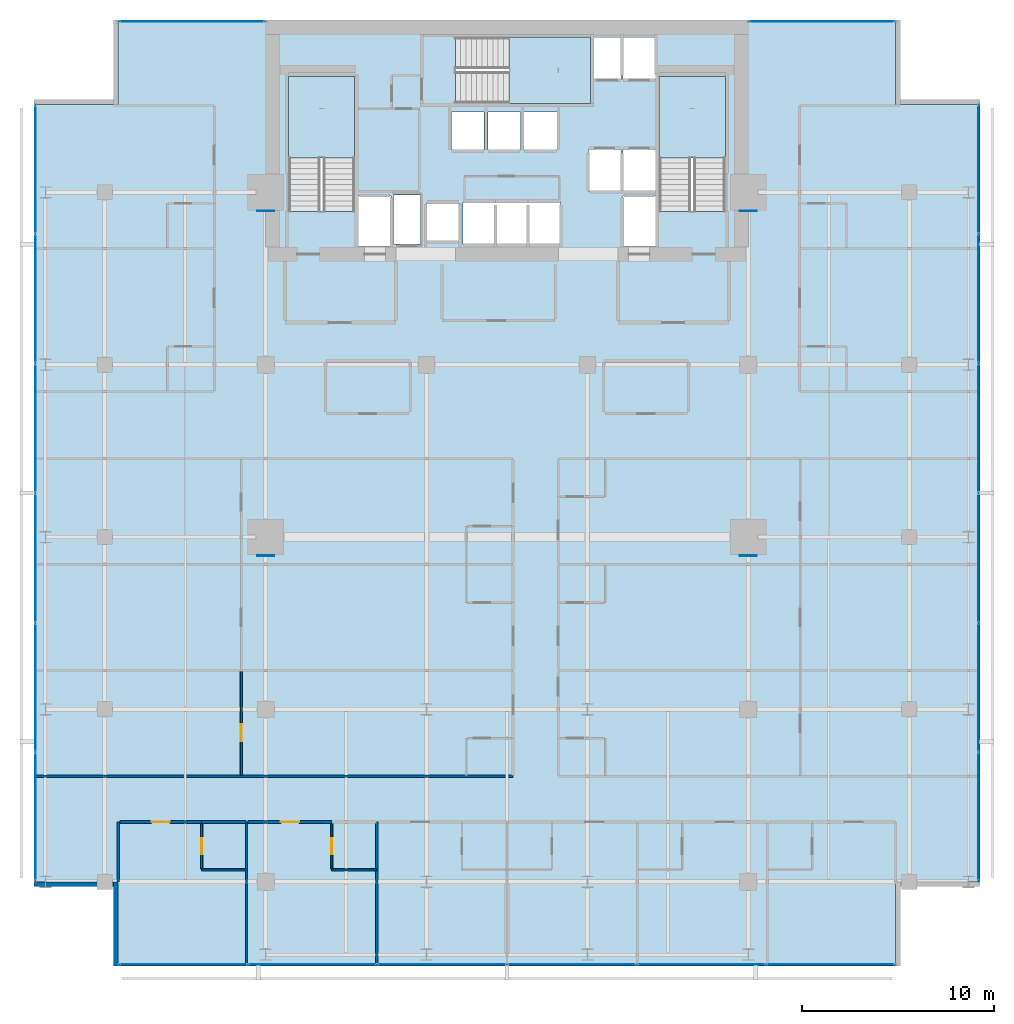
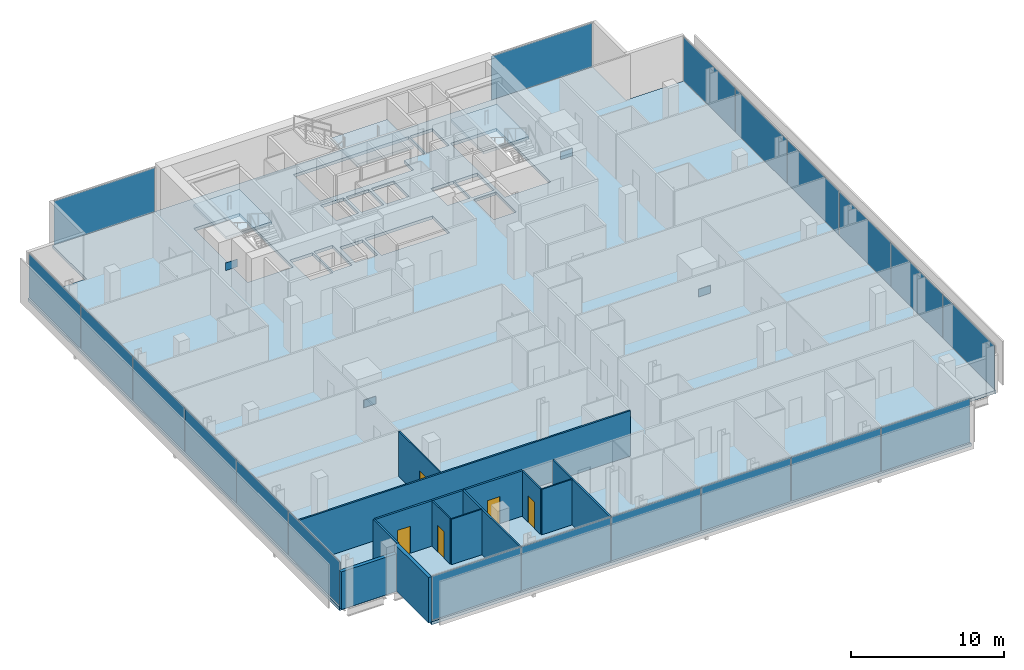
# One storey, part 26 of 33: 24 plates, 14 walls, 5 doors, 4 slabs, 5 openings, 8 elements without a shape of their own.
"""IFC4 building model written with IfcOpenShell, lengths in metres."""

from ifc_helpers import new_model, si_unit, direction, frame, frame_2d, origin, origin_2d, place, context, subcontext, project, spatial, polyline, rectangle, outline, extrude, material, layer, layer_set, type_object, element, fill, aggregate, save


model = new_model("IFC4")

# Units and contexts
model_context = context("Model", 3, precision=1e-05, world=origin(), true_north=direction((0.0, 1.0)))
body_context = subcontext(model_context, "Body", "Model", "MODEL_VIEW")
ifc_project = project(units=[si_unit("LENGTHUNIT", "METRE"), si_unit("AREAUNIT", "SQUARE_METRE"), si_unit("VOLUMEUNIT", "CUBIC_METRE"), si_unit("PLANEANGLEUNIT", "RADIAN"), si_unit("MASSUNIT", "GRAM", prefix="KILO")], contexts=[model_context])

# Site, building, storey
site_placement = place(None, origin())
site = spatial("IfcSite", under=ifc_project, at=site_placement, CompositionType="ELEMENT")
building_placement = place(site_placement, origin())
building = spatial("IfcBuilding", under=site, at=building_placement, Name="Maruvema Waterfront Hotel and Observation Tower", CompositionType="ELEMENT")
storey_placement = place(building_placement, frame((0.0, 0.0, 150.5)))
storey = spatial("IfcBuildingStorey", under=building, at=storey_placement, Name="L36", CompositionType="ELEMENT", Elevation=150.5)

# Slab
ifc_material_1 = material(Name="Concrete C50/60", Category="concrete")
ifc_layer_1 = layer(ifc_material_1, 0.239990234375, Name="Reinforced Concrete Floor Slab 240 mm")
ifc_layer_set_1 = layer_set([ifc_layer_1], Name="Concrete C50/60")
slab_type_1 = type_object("IfcSlabType", Name="Reinforced Concrete Floor Slab 240 mm", PredefinedType="FLOOR", material=ifc_layer_set_1)
slab_1_placement = place(storey_placement, frame((0.0, 0.0, -0.239990234375)))
element("IfcSlab", 1, at=slab_1_placement, inside=storey, type_object=slab_type_1, Name="L36 Structural Floor Slab", PredefinedType="FLOOR", context=body_context, shape_type="SweptSolid", body=[
    extrude(outline(polyline([(17.5, 4.60009765625), (58.10009765625, 4.60009765625), (58.10009765625, 9.0), (62.5, 9.0), (62.5, 49.60009765625), (58.10009765625, 49.60009765625), (58.10009765625, 54.0), (17.5, 54.0), (17.5, 49.60009765625), (13.10009765625, 49.60009765625), (13.10009765625, 9.0), (17.5, 9.0), (17.5, 4.60009765625)]), holes=[polyline([(26.39990234375, 44.00048828125), (26.39990234375, 51.050048828125), (29.85009765625, 51.050048828125), (29.85009765625, 44.00048828125), (26.39990234375, 44.00048828125)]), polyline([(30.050048828125, 44.800048828125), (31.75, 44.800048828125), (31.75, 42.169921875), (30.050048828125, 42.169921875), (30.050048828125, 44.800048828125)]), polyline([(31.8798828125, 44.860107421875), (33.280029296875, 44.860107421875), (33.280029296875, 42.2900390625), (31.8798828125, 42.2900390625), (31.8798828125, 44.860107421875)]), polyline([(33.60009765625, 44.449951171875), (35.300048828125, 44.449951171875), (35.300048828125, 42.449951171875), (33.60009765625, 42.449951171875), (33.60009765625, 44.449951171875)]), polyline([(34.89990234375, 49.199951171875), (36.60009765625, 49.199951171875), (36.60009765625, 47.199951171875), (34.89990234375, 47.199951171875), (34.89990234375, 49.199951171875)]), polyline([(36.800048828125, 49.199951171875), (38.5, 49.199951171875), (38.5, 47.199951171875), (36.800048828125, 47.199951171875), (36.800048828125, 49.199951171875)]), polyline([(35.5, 42.300048828125), (35.5, 44.5), (40.60009765625, 44.5), (40.60009765625, 42.300048828125), (35.5, 42.300048828125)]), polyline([(35.1005859375, 53.10009765625), (43.75, 53.10009765625), (43.75, 50.89990234375), (42.14990234375, 50.89990234375), (42.14990234375, 49.64990234375), (35.1005859375, 49.64990234375), (35.1005859375, 53.10009765625)]), polyline([(38.699951171875, 49.199951171875), (40.39990234375, 49.199951171875), (40.39990234375, 47.199951171875), (38.699951171875, 47.199951171875), (38.699951171875, 49.199951171875)]), polyline([(42.050048828125, 47.25), (43.75, 47.25), (43.75, 45.050048828125), (42.050048828125, 45.050048828125), (42.050048828125, 47.25)]), polyline([(43.85009765625, 44.800048828125), (45.550048828125, 44.800048828125), (45.550048828125, 42.169921875), (43.85009765625, 42.169921875), (43.85009765625, 44.800048828125)]), polyline([(43.85009765625, 47.25), (45.550048828125, 47.25), (45.550048828125, 45.050048828125), (43.85009765625, 45.050048828125), (43.85009765625, 47.25)]), polyline([(45.550048828125, 53.10009765625), (45.550048828125, 50.89990234375), (43.85009765625, 50.89990234375), (43.85009765625, 53.10009765625), (45.550048828125, 53.10009765625)]), polyline([(45.75, 44.00048828125), (45.75, 51.050048828125), (49.199951171875, 51.050048828125), (49.199951171875, 44.00048828125), (45.75, 44.00048828125)])]), origin(), (0.0, 0.0, 1.0), 0.239990234375),
])

# Curtain wall, plates
ifc_material_2 = material(Name="Anodised bronze aluminium and solar-control low-E IGU", Category="aluminium")
ifc_layer_2 = layer(ifc_material_2, 0.159912109375, Name="Zone 2 Amber Inner Thermal Curtain Wall System CW-03")
ifc_layer_set_2 = layer_set([ifc_layer_2], Name="Anodised bronze aluminium and solar-control low-E IGU")
curtain_wall_type = type_object("IfcCurtainWallType", Name="Zone 2 Amber Inner Thermal Curtain Wall System CW-03", PredefinedType="USERDEFINED", material=ifc_layer_set_2)
curtain_wall_1_placement = place(storey_placement, origin())
curtain_wall_1 = element("IfcCurtainWall", 2, at=curtain_wall_1_placement, inside=storey, type_object=curtain_wall_type, Name="L36 Curtain Wall CW-L36-S", ObjectType="UNITISED CURTAIN WALL", PredefinedType="USERDEFINED")
ifc_material_3 = material(Name="Laminated low-E solar-control double glazing", Category="glass")
ifc_layer_3 = layer(ifc_material_3, 0.035888671875, Name="Solar Control Double-Glazed Curtain Panel 36 mm")
ifc_layer_set_3 = layer_set([ifc_layer_3], Name="Laminated low-E solar-control double glazing")
plate_type_1 = type_object("IfcPlateType", Name="Solar Control Double-Glazed Curtain Panel 36 mm", PredefinedType="CURTAIN_PANEL", material=ifc_layer_set_3)
plate_1_placement = place(storey_placement, frame((20.8984375, 4.679931640625, 0.06005859375), z_axis=(0.0, 0.0, 1.0), x_axis=(1.0, 0.0, 0.0)))
plate_1 = element("IfcPlate", 3, at=plate_1_placement, type_object=plate_type_1, Name="CW-03 panel 1.1", PredefinedType="CURTAIN_PANEL", context=body_context, shape_type="SweptSolid", body=[
    extrude(rectangle(XDim=6.6767578125, YDim=0.028076171875, at=origin_2d()), origin(), (0.0, 0.0, 1.0), 3.489990234375),
])
plate_2_placement = place(storey_placement, frame((27.64990234375, 4.679931640625, 0.06005859375), z_axis=(0.0, 0.0, 1.0), x_axis=(1.0, 0.0, 0.0)))
plate_2 = element("IfcPlate", 4, at=plate_2_placement, type_object=plate_type_1, Name="CW-03 panel 2.1", PredefinedType="CURTAIN_PANEL", context=body_context, shape_type="SweptSolid", body=[
    extrude(rectangle(XDim=6.706787109375, YDim=0.028076171875, at=origin_2d()), origin(), (0.0, 0.0, 1.0), 3.489990234375),
])
plate_3_placement = place(storey_placement, frame((34.416748046875, 4.679931640625, 0.06005859375), z_axis=(0.0, 0.0, 1.0), x_axis=(1.0, 0.0, 0.0)))
plate_3 = element("IfcPlate", 5, at=plate_3_placement, type_object=plate_type_1, Name="CW-03 panel 3.1", PredefinedType="CURTAIN_PANEL", context=body_context, shape_type="SweptSolid", body=[
    extrude(rectangle(XDim=6.706787109375, YDim=0.028076171875, at=origin_2d()), origin(), (0.0, 0.0, 1.0), 3.489990234375),
])
plate_4_placement = place(storey_placement, frame((41.183349609375, 4.679931640625, 0.06005859375), z_axis=(0.0, 0.0, 1.0), x_axis=(1.0, 0.0, 0.0)))
plate_4 = element("IfcPlate", 6, at=plate_4_placement, type_object=plate_type_1, Name="CW-03 panel 4.1", PredefinedType="CURTAIN_PANEL", context=body_context, shape_type="SweptSolid", body=[
    extrude(rectangle(XDim=6.706787109375, YDim=0.028076171875, at=origin_2d()), origin(), (0.0, 0.0, 1.0), 3.489990234375),
])
plate_5_placement = place(storey_placement, frame((47.949951171875, 4.679931640625, 0.06005859375), z_axis=(0.0, 0.0, 1.0), x_axis=(1.0, 0.0, 0.0)))
plate_5 = element("IfcPlate", 7, at=plate_5_placement, type_object=plate_type_1, Name="CW-03 panel 5.1", PredefinedType="CURTAIN_PANEL", context=body_context, shape_type="SweptSolid", body=[
    extrude(rectangle(XDim=6.706787109375, YDim=0.028076171875, at=origin_2d()), origin(), (0.0, 0.0, 1.0), 3.489990234375),
])
plate_6_placement = place(storey_placement, frame((54.70166015625, 4.679931640625, 0.06005859375), z_axis=(0.0, 0.0, 1.0), x_axis=(1.0, 0.0, 0.0)))
plate_6 = element("IfcPlate", 8, at=plate_6_placement, type_object=plate_type_1, Name="CW-03 panel 6.1", PredefinedType="CURTAIN_PANEL", context=body_context, shape_type="SweptSolid", body=[
    extrude(rectangle(XDim=6.6767578125, YDim=0.028076171875, at=origin_2d()), origin(), (0.0, 0.0, 1.0), 3.489990234375),
])
aggregate(curtain_wall_1, [plate_1, plate_2, plate_3, plate_4, plate_5, plate_6])

curtain_wall_2_placement = place(storey_placement, origin())
curtain_wall_2 = element("IfcCurtainWall", 9, at=curtain_wall_2_placement, inside=storey, type_object=curtain_wall_type, Name="L36 Curtain Wall CW-L36-E", ObjectType="UNITISED CURTAIN WALL", PredefinedType="USERDEFINED")
plate_7_placement = place(storey_placement, frame((62.419921875, 12.3984375, 0.06005859375), z_axis=(0.0, 0.0, 1.0), x_axis=(0.0, 1.0, 0.0)))
plate_7 = element("IfcPlate", 10, at=plate_7_placement, type_object=plate_type_1, Name="CW-03 panel 1.1", PredefinedType="CURTAIN_PANEL", context=body_context, shape_type="SweptSolid", body=[
    extrude(rectangle(XDim=6.6767578125, YDim=0.028076171875, at=origin_2d()), origin(), (0.0, 0.0, 1.0), 3.489990234375),
])
plate_8_placement = place(storey_placement, frame((62.419921875, 19.14990234375, 0.06005859375), z_axis=(0.0, 0.0, 1.0), x_axis=(0.0, 1.0, 0.0)))
plate_8 = element("IfcPlate", 11, at=plate_8_placement, type_object=plate_type_1, Name="CW-03 panel 2.1", PredefinedType="CURTAIN_PANEL", context=body_context, shape_type="SweptSolid", body=[
    extrude(rectangle(XDim=6.706787109375, YDim=0.028076171875, at=origin_2d()), origin(), (0.0, 0.0, 1.0), 3.489990234375),
])
plate_9_placement = place(storey_placement, frame((62.419921875, 25.916748046875, 0.06005859375), z_axis=(0.0, 0.0, 1.0), x_axis=(0.0, 1.0, 0.0)))
plate_9 = element("IfcPlate", 12, at=plate_9_placement, type_object=plate_type_1, Name="CW-03 panel 3.1", PredefinedType="CURTAIN_PANEL", context=body_context, shape_type="SweptSolid", body=[
    extrude(rectangle(XDim=6.706787109375, YDim=0.028076171875, at=origin_2d()), origin(), (0.0, 0.0, 1.0), 3.489990234375),
])
plate_10_placement = place(storey_placement, frame((62.419921875, 32.683349609375, 0.06005859375), z_axis=(0.0, 0.0, 1.0), x_axis=(0.0, 1.0, 0.0)))
plate_10 = element("IfcPlate", 13, at=plate_10_placement, type_object=plate_type_1, Name="CW-03 panel 4.1", PredefinedType="CURTAIN_PANEL", context=body_context, shape_type="SweptSolid", body=[
    extrude(rectangle(XDim=6.706787109375, YDim=0.028076171875, at=origin_2d()), origin(), (0.0, 0.0, 1.0), 3.489990234375),
])
plate_11_placement = place(storey_placement, frame((62.419921875, 39.449951171875, 0.06005859375), z_axis=(0.0, 0.0, 1.0), x_axis=(0.0, 1.0, 0.0)))
plate_11 = element("IfcPlate", 14, at=plate_11_placement, type_object=plate_type_1, Name="CW-03 panel 5.1", PredefinedType="CURTAIN_PANEL", context=body_context, shape_type="SweptSolid", body=[
    extrude(rectangle(XDim=6.706787109375, YDim=0.028076171875, at=origin_2d()), origin(), (0.0, 0.0, 1.0), 3.489990234375),
])
plate_12_placement = place(storey_placement, frame((62.419921875, 46.20166015625, 0.06005859375), z_axis=(0.0, 0.0, 1.0), x_axis=(0.0, 1.0, 0.0)))
plate_12 = element("IfcPlate", 15, at=plate_12_placement, type_object=plate_type_1, Name="CW-03 panel 6.1", PredefinedType="CURTAIN_PANEL", context=body_context, shape_type="SweptSolid", body=[
    extrude(rectangle(XDim=6.6767578125, YDim=0.028076171875, at=origin_2d()), origin(), (0.0, 0.0, 1.0), 3.489990234375),
])
aggregate(curtain_wall_2, [plate_7, plate_8, plate_9, plate_10, plate_11, plate_12])

curtain_wall_3_placement = place(storey_placement, origin())
curtain_wall_3 = element("IfcCurtainWall", 16, at=curtain_wall_3_placement, inside=storey, type_object=curtain_wall_type, Name="L36 Curtain Wall CW-L36-W", ObjectType="UNITISED CURTAIN WALL", PredefinedType="USERDEFINED")
plate_13_placement = place(storey_placement, frame((13.179931640625, 46.20166015625, 0.06005859375), z_axis=(0.0, 0.0, 1.0), x_axis=(0.0, -1.0, 0.0)))
plate_13 = element("IfcPlate", 17, at=plate_13_placement, type_object=plate_type_1, Name="CW-03 panel 1.1", PredefinedType="CURTAIN_PANEL", context=body_context, shape_type="SweptSolid", body=[
    extrude(rectangle(XDim=6.6767578125, YDim=0.028076171875, at=origin_2d()), origin(), (0.0, 0.0, 1.0), 3.489990234375),
])
plate_14_placement = place(storey_placement, frame((13.179931640625, 39.449951171875, 0.06005859375), z_axis=(0.0, 0.0, 1.0), x_axis=(0.0, -1.0, 0.0)))
plate_14 = element("IfcPlate", 18, at=plate_14_placement, type_object=plate_type_1, Name="CW-03 panel 2.1", PredefinedType="CURTAIN_PANEL", context=body_context, shape_type="SweptSolid", body=[
    extrude(rectangle(XDim=6.706787109375, YDim=0.028076171875, at=origin_2d()), origin(), (0.0, 0.0, 1.0), 3.489990234375),
])
plate_15_placement = place(storey_placement, frame((13.179931640625, 32.683349609375, 0.06005859375), z_axis=(0.0, 0.0, 1.0), x_axis=(0.0, -1.0, 0.0)))
plate_15 = element("IfcPlate", 19, at=plate_15_placement, type_object=plate_type_1, Name="CW-03 panel 3.1", PredefinedType="CURTAIN_PANEL", context=body_context, shape_type="SweptSolid", body=[
    extrude(rectangle(XDim=6.706787109375, YDim=0.028076171875, at=origin_2d()), origin(), (0.0, 0.0, 1.0), 3.489990234375),
])
plate_16_placement = place(storey_placement, frame((13.179931640625, 25.916748046875, 0.06005859375), z_axis=(0.0, 0.0, 1.0), x_axis=(0.0, -1.0, 0.0)))
plate_16 = element("IfcPlate", 20, at=plate_16_placement, type_object=plate_type_1, Name="CW-03 panel 4.1", PredefinedType="CURTAIN_PANEL", context=body_context, shape_type="SweptSolid", body=[
    extrude(rectangle(XDim=6.706787109375, YDim=0.028076171875, at=origin_2d()), origin(), (0.0, 0.0, 1.0), 3.489990234375),
])
plate_17_placement = place(storey_placement, frame((13.179931640625, 19.14990234375, 0.06005859375), z_axis=(0.0, 0.0, 1.0), x_axis=(0.0, -1.0, 0.0)))
plate_17 = element("IfcPlate", 21, at=plate_17_placement, type_object=plate_type_1, Name="CW-03 panel 5.1", PredefinedType="CURTAIN_PANEL", context=body_context, shape_type="SweptSolid", body=[
    extrude(rectangle(XDim=6.706787109375, YDim=0.028076171875, at=origin_2d()), origin(), (0.0, 0.0, 1.0), 3.489990234375),
])
plate_18_placement = place(storey_placement, frame((13.179931640625, 12.3984375, 0.06005859375), z_axis=(0.0, 0.0, 1.0), x_axis=(0.0, -1.0, 0.0)))
plate_18 = element("IfcPlate", 22, at=plate_18_placement, type_object=plate_type_1, Name="CW-03 panel 6.1", PredefinedType="CURTAIN_PANEL", context=body_context, shape_type="SweptSolid", body=[
    extrude(rectangle(XDim=6.6767578125, YDim=0.028076171875, at=origin_2d()), origin(), (0.0, 0.0, 1.0), 3.489990234375),
])
aggregate(curtain_wall_3, [plate_13, plate_14, plate_15, plate_16, plate_17, plate_18])

# Curtain wall, plate
curtain_wall_4_placement = place(storey_placement, origin())
curtain_wall_4 = element("IfcCurtainWall", 23, at=curtain_wall_4_placement, inside=storey, type_object=curtain_wall_type, Name="L36 Curtain Wall CW-L36-NW", ObjectType="UNITISED CURTAIN WALL", PredefinedType="USERDEFINED")
plate_19_placement = place(storey_placement, frame((21.35009765625, 53.919921875, 0.06005859375), z_axis=(0.0, 0.0, 1.0), x_axis=(-1.0, 0.0, 0.0)))
plate_19 = element("IfcPlate", 24, at=plate_19_placement, type_object=plate_type_1, Name="CW-03 panel 1.1", PredefinedType="CURTAIN_PANEL", context=body_context, shape_type="SweptSolid", body=[
    extrude(rectangle(XDim=7.580078125, YDim=0.028076171875, at=origin_2d()), origin(), (0.0, 0.0, 1.0), 3.489990234375),
])
aggregate(curtain_wall_4, [plate_19])

curtain_wall_5_placement = place(storey_placement, origin())
curtain_wall_5 = element("IfcCurtainWall", 25, at=curtain_wall_5_placement, inside=storey, type_object=curtain_wall_type, Name="L36 Curtain Wall CW-L36-NE", ObjectType="UNITISED CURTAIN WALL", PredefinedType="USERDEFINED")
plate_20_placement = place(storey_placement, frame((54.25, 53.919921875, 0.06005859375), z_axis=(0.0, 0.0, 1.0), x_axis=(-1.0, 0.0, 0.0)))
plate_20 = element("IfcPlate", 26, at=plate_20_placement, type_object=plate_type_1, Name="CW-03 panel 1.1", PredefinedType="CURTAIN_PANEL", context=body_context, shape_type="SweptSolid", body=[
    extrude(rectangle(XDim=7.580078125, YDim=0.028076171875, at=origin_2d()), origin(), (0.0, 0.0, 1.0), 3.489990234375),
])
aggregate(curtain_wall_5, [plate_20])

# Stair, slab
ifc_material_4 = material(Name="Concrete C50/60", Category="concrete")
stair_type = type_object("IfcStairType", Name="Dogleg Exit Stair 1650 mm (22R x 175.0 mm)", PredefinedType="HALF_TURN_STAIR", material=ifc_material_4)
stair_1_placement = place(storey_placement, origin())
stair_1 = element("IfcStair", 27, at=stair_1_placement, inside=storey, type_object=stair_type, Name="L36 ST-01", PredefinedType="HALF_TURN_STAIR")
ifc_material_5 = material(Name="Concrete C50/60", Category="concrete")
ifc_layer_4 = layer(ifc_material_5, 0.219970703125, Name="Stair Concrete Landing Slab 220 mm")
ifc_layer_set_4 = layer_set([ifc_layer_4], Name="Concrete C50/60")
slab_type_2 = type_object("IfcSlabType", Name="Stair Concrete Landing Slab 220 mm", PredefinedType="LANDING", material=ifc_layer_set_4)
slab_2_placement = place(storey_placement, frame((0.0, 0.0, 1.705078125)))
slab_2 = element("IfcSlab", 28, at=slab_2_placement, type_object=slab_type_2, Name="ST-01 landing 1", PredefinedType="LANDING", context=body_context, shape_type="SweptSolid", body=[
    extrude(outline(polyline([(29.85009765625, 46.800048828125), (29.85009765625, 51.050048828125), (26.39990234375, 51.050048828125), (26.39990234375, 46.800048828125), (29.85009765625, 46.800048828125)])), origin(), (0.0, 0.0, 1.0), 0.219970703125),
])
aggregate(stair_1, [slab_2])

stair_2_placement = place(storey_placement, origin())
stair_2 = element("IfcStair", 29, at=stair_2_placement, inside=storey, type_object=stair_type, Name="L36 ST-02", PredefinedType="HALF_TURN_STAIR")
slab_3_placement = place(storey_placement, frame((0.0, 0.0, 1.705078125)))
slab_3 = element("IfcSlab", 30, at=slab_3_placement, type_object=slab_type_2, Name="ST-02 landing 1", PredefinedType="LANDING", context=body_context, shape_type="SweptSolid", body=[
    extrude(outline(polyline([(37.89990234375, 49.64990234375), (42.14990234375, 49.64990234375), (42.14990234375, 53.10009765625), (37.89990234375, 53.10009765625), (37.89990234375, 49.64990234375)])), origin(), (0.0, 0.0, 1.0), 0.219970703125),
])
aggregate(stair_2, [slab_3])

stair_3_placement = place(storey_placement, origin())
stair_3 = element("IfcStair", 31, at=stair_3_placement, inside=storey, type_object=stair_type, Name="L36 ST-03", PredefinedType="HALF_TURN_STAIR")
slab_4_placement = place(storey_placement, frame((0.0, 0.0, 1.705078125)))
slab_4 = element("IfcSlab", 32, at=slab_4_placement, type_object=slab_type_2, Name="ST-03 landing 1", PredefinedType="LANDING", context=body_context, shape_type="SweptSolid", body=[
    extrude(outline(polyline([(49.199951171875, 46.800048828125), (49.199951171875, 51.050048828125), (45.75, 51.050048828125), (45.75, 46.800048828125), (49.199951171875, 46.800048828125)])), origin(), (0.0, 0.0, 1.0), 0.219970703125),
])
aggregate(stair_3, [slab_4])

# Plates
ifc_material_6 = material(Name="Steel ABNT NBR 7007 AR 415 (ASTM A572 Grade 50)", Category="steel")
ifc_layer_5 = layer(ifc_material_6, 0.0400390625, Name="Structural Truss Node Gusset Plate 40 mm")
ifc_layer_set_5 = layer_set([ifc_layer_5], Name="Steel ABNT NBR 7007 AR 415 (ASTM A572 Grade 50)")
plate_type_2 = type_object("IfcPlateType", Name="Structural Truss Node Gusset Plate 40 mm", PredefinedType="USERDEFINED", material=ifc_layer_set_5)
for number, where, z_axis, x_axis, name in (
    (33, (25.199951171875, 26.030029296875, 1.5), (0.0, 0.0, 1.0), (1.0, 0.0, 0.0), "L36 MC-01 Moment Frame Continuity Gusset Plate"),
    (34, (50.39990234375, 26.030029296875, 1.5), (0.0, 0.0, 1.0), (1.0, 0.0, 0.0), "L36 MC-02 Moment Frame Continuity Gusset Plate"),
    (35, (25.199951171875, 44.030029296875, 1.5), (0.0, 0.0, 1.0), (1.0, 0.0, 0.0), "L36 MC-03 Moment Frame Continuity Gusset Plate"),
    (36, (50.39990234375, 44.030029296875, 1.5), (0.0, 0.0, 1.0), (1.0, 0.0, 0.0), "L36 MC-04 Moment Frame Continuity Gusset Plate"),
):
    element("IfcPlate", number, at=place(storey_placement, frame(where, z_axis=z_axis, x_axis=x_axis)), inside=storey, type_object=plate_type_2, Name=name, ObjectType="GUSSET_PLATE", PredefinedType="USERDEFINED", context=body_context, shape_type="SweptSolid", body=[
        extrude(rectangle(XDim=0.89990234375, YDim=0.0400390625, at=origin_2d()), origin(), (0.0, 0.0, 1.0), 0.60009765625),
    ])

# Wall
ifc_material_7 = material(Name="Twin-stud acoustic gypsum drywall", Category="gypsum")
ifc_layer_6 = layer(ifc_material_7, 0.14990234375, Name="Acoustic Corridor and Suite Demising Wall 150 mm")
ifc_layer_set_6 = layer_set([ifc_layer_6], Name="Twin-stud acoustic gypsum drywall")
wall_type_1 = type_object("IfcWallType", Name="Acoustic Corridor and Suite Demising Wall 150 mm", PredefinedType="PARTITIONING", material=ifc_layer_set_6)
wall_1_placement = place(storey_placement, frame((21.85009765625, 12.1201171875, 0.0), z_axis=(0.0, 0.0, 1.0), x_axis=(1.0, 0.0, 0.0)))
element("IfcWall", 37, at=wall_1_placement, inside=storey, type_object=wall_type_1, Name="L36 Bath L36-S1 Back Wall 031", PredefinedType="PARTITIONING", context=body_context, shape_type="SweptSolid", body=[
    extrude(rectangle(XDim=2.329833984375, YDim=0.14990234375, at=frame_2d((1.1650390625, 0.0))), origin(), (0.0, 0.0, 1.0), 3.610107421875),
])

# Wall, opening, door
wall_2_placement = place(storey_placement, frame((17.580078125, 12.1201171875, 0.0), z_axis=(0.0, 0.0, 1.0), x_axis=(1.0, 0.0, 0.0)))
wall_2 = element("IfcWall", 38, at=wall_2_placement, inside=storey, type_object=wall_type_1, Name="L36 Unit L36-S1 Corridor Wall 034", PredefinedType="PARTITIONING", context=body_context, shape_type="SweptSolid", body=[
    extrude(rectangle(XDim=4.27001953125, YDim=0.14990234375, at=frame_2d((2.135009765625, 0.0))), origin(), (0.0, 0.0, 1.0), 3.610107421875),
])
opening_1_placement = place(wall_2_placement, frame((1.659912109375, 0.0, 0.0)))
opening_1 = element("IfcOpeningElement", 39, at=opening_1_placement, cuts=wall_2, Name="Opening DR-095", PredefinedType="OPENING", context=body_context, shape_type="SweptSolid", body=[
    extrude(rectangle(XDim=0.949951171875, YDim=2.14990234375, at=frame_2d((0.47509765625, 1.074951171875))), frame((0.0, 0.0849609375, 0.0), z_axis=(0.0, -1.0, 0.0), x_axis=(1.0, 0.0, 0.0)), (0.0, 0.0, 1.0), 0.169921875),
])
ifc_material_8 = material(Name="Acoustic solid-core hardwood timber leaf", Category="wood")
door_type_1 = type_object("IfcDoorType", Name="Guestroom Entrance Fire Door 950x2150 mm", OperationType="NOTDEFINED", PredefinedType="DOOR", material=ifc_material_8)
door_1_placement = place(opening_1_placement, frame((0.949951171875, 0.0, 0.0), z_axis=(0.0, 0.0, 1.0), x_axis=(-1.0, 0.0, 0.0)))
door_1 = element("IfcDoor", 40, at=door_1_placement, inside=storey, type_object=door_type_1, Name="L36 Unit L36-S1 Entrance Door", OperationType="SINGLE_SWING_RIGHT", OverallHeight=2.14990234375, OverallWidth=0.949951171875, PredefinedType="DOOR", context=body_context, shape_type="SweptSolid", body=[
    extrude(rectangle(XDim=0.949951171875, YDim=2.14990234375, at=frame_2d((0.47509765625, 1.074951171875))), frame((0.0, 0.02490234375, 0.0), z_axis=(0.0, -1.0, 0.0), x_axis=(1.0, 0.0, 0.0)), (0.0, 0.0, 1.0), 0.050048828125),
])
fill(opening_1, door_1)

wall_3_placement = place(storey_placement, frame((24.280029296875, 12.1201171875, 0.0), z_axis=(0.0, 0.0, 1.0), x_axis=(1.0, 0.0, 0.0)))
wall_3 = element("IfcWall", 41, at=wall_3_placement, inside=storey, type_object=wall_type_1, Name="L36 Unit L36-S2 Corridor Wall 039", PredefinedType="PARTITIONING", context=body_context, shape_type="SweptSolid", body=[
    extrude(rectangle(XDim=4.369873046875, YDim=0.14990234375, at=frame_2d((2.18505859375, 0.0))), origin(), (0.0, 0.0, 1.0), 3.610107421875),
])
opening_2_placement = place(wall_3_placement, frame((1.7099609375, 0.0, 0.0)))
opening_2 = element("IfcOpeningElement", 42, at=opening_2_placement, cuts=wall_3, Name="Opening DR-095", PredefinedType="OPENING", context=body_context, shape_type="SweptSolid", body=[
    extrude(rectangle(XDim=0.949951171875, YDim=2.14990234375, at=frame_2d((0.47509765625, 1.074951171875))), frame((0.0, 0.0849609375, 0.0), z_axis=(0.0, -1.0, 0.0), x_axis=(1.0, 0.0, 0.0)), (0.0, 0.0, 1.0), 0.169921875),
])
door_2_placement = place(opening_2_placement, frame((0.949951171875, 0.0, 0.0), z_axis=(0.0, 0.0, 1.0), x_axis=(-1.0, 0.0, 0.0)))
door_2 = element("IfcDoor", 43, at=door_2_placement, inside=storey, type_object=door_type_1, Name="L36 Unit L36-S2 Entrance Door", OperationType="SINGLE_SWING_RIGHT", OverallHeight=2.14990234375, OverallWidth=0.949951171875, PredefinedType="DOOR", context=body_context, shape_type="SweptSolid", body=[
    extrude(rectangle(XDim=0.949951171875, YDim=2.14990234375, at=frame_2d((0.47509765625, 1.074951171875))), frame((0.0, 0.02490234375, 0.0), z_axis=(0.0, -1.0, 0.0), x_axis=(1.0, 0.0, 0.0)), (0.0, 0.0, 1.0), 0.050048828125),
])
fill(opening_2, door_2)

# Wall
ifc_material_9 = material(Name="Moisture-resistant cement-board drywall", Category="gypsum")
ifc_layer_7 = layer(ifc_material_9, 0.10009765625, Name="En-Suite Moisture-Resistant Partition 100 mm")
ifc_layer_set_7 = layer_set([ifc_layer_7], Name="Moisture-resistant cement-board drywall")
wall_type_2 = type_object("IfcWallType", Name="En-Suite Moisture-Resistant Partition 100 mm", PredefinedType="PARTITIONING", material=ifc_layer_set_7)
wall_4_placement = place(storey_placement, frame((21.85009765625, 9.6201171875, 0.0), z_axis=(0.0, 0.0, 1.0), x_axis=(1.0, 0.0, 0.0)))
element("IfcWall", 44, at=wall_4_placement, inside=storey, type_object=wall_type_2, Name="L36 En-Suite L36-S1 South 032", PredefinedType="PARTITIONING", context=body_context, shape_type="SweptSolid", body=[
    extrude(rectangle(XDim=2.309814453125, YDim=0.10009765625, at=frame_2d((1.15478515625, 0.0))), origin(), (0.0, 0.0, 1.0), 3.610107421875),
])

# Wall, opening, door
wall_5_placement = place(storey_placement, frame((21.85009765625, 9.679931640625, 0.0), z_axis=(0.0, 0.0, 1.0), x_axis=(0.0, 1.0, 0.0)))
wall_5 = element("IfcWall", 45, at=wall_5_placement, inside=storey, type_object=wall_type_2, Name="L36 En-Suite L36-S1 West 033", PredefinedType="PARTITIONING", context=body_context, shape_type="SweptSolid", body=[
    extrude(rectangle(XDim=2.340087890625, YDim=0.10009765625, at=frame_2d((1.169921875, 0.0))), origin(), (0.0, 0.0, 1.0), 3.610107421875),
])
opening_3_placement = place(wall_5_placement, frame((0.7451171875, 0.0, 0.0)))
opening_3 = element("IfcOpeningElement", 46, at=opening_3_placement, cuts=wall_5, Name="Opening DR-085", PredefinedType="OPENING", context=body_context, shape_type="SweptSolid", body=[
    extrude(rectangle(XDim=0.85009765625, YDim=2.10009765625, at=frame_2d((0.425048828125, 1.050048828125))), frame((0.0, 0.06005859375, 0.0), z_axis=(0.0, -1.0, 0.0), x_axis=(1.0, 0.0, 0.0)), (0.0, 0.0, 1.0), 0.1201171875),
])
ifc_material_10 = material(Name="Moisture-resistant solid timber leaf", Category="wood")
door_type_2 = type_object("IfcDoorType", Name="En-Suite Bathroom Door 850x2100 mm", OperationType="NOTDEFINED", PredefinedType="DOOR", material=ifc_material_10)
door_3_placement = place(opening_3_placement, origin())
door_3 = element("IfcDoor", 47, at=door_3_placement, inside=storey, type_object=door_type_2, Name="L36 En-Suite L36-S1 Door", OperationType="SINGLE_SWING_LEFT", OverallHeight=2.10009765625, OverallWidth=0.85009765625, PredefinedType="DOOR", context=body_context, shape_type="SweptSolid", body=[
    extrude(rectangle(XDim=0.85009765625, YDim=2.10009765625, at=frame_2d((0.425048828125, 1.050048828125))), frame((0.0, 0.02490234375, 0.0), z_axis=(0.0, -1.0, 0.0), x_axis=(1.0, 0.0, 0.0)), (0.0, 0.0, 1.0), 0.050048828125),
])
fill(opening_3, door_3)

# Wall
wall_6_placement = place(storey_placement, frame((28.64990234375, 9.6201171875, 0.0), z_axis=(0.0, 0.0, 1.0), x_axis=(1.0, 0.0, 0.0)))
element("IfcWall", 48, at=wall_6_placement, inside=storey, type_object=wall_type_2, Name="L36 En-Suite L36-S2 South 037", PredefinedType="PARTITIONING", context=body_context, shape_type="SweptSolid", body=[
    extrude(rectangle(XDim=2.31005859375, YDim=0.10009765625, at=frame_2d((1.155029296875, 0.0))), origin(), (0.0, 0.0, 1.0), 3.610107421875),
])

# Wall, opening, door
wall_7_placement = place(storey_placement, frame((28.64990234375, 9.679931640625, 0.0), z_axis=(0.0, 0.0, 1.0), x_axis=(0.0, 1.0, 0.0)))
wall_7 = element("IfcWall", 49, at=wall_7_placement, inside=storey, type_object=wall_type_2, Name="L36 En-Suite L36-S2 West 038", PredefinedType="PARTITIONING", context=body_context, shape_type="SweptSolid", body=[
    extrude(rectangle(XDim=2.340087890625, YDim=0.10009765625, at=frame_2d((1.169921875, 0.0))), origin(), (0.0, 0.0, 1.0), 3.610107421875),
])
opening_4_placement = place(wall_7_placement, frame((0.7451171875, 0.0, 0.0)))
opening_4 = element("IfcOpeningElement", 50, at=opening_4_placement, cuts=wall_7, Name="Opening DR-085", PredefinedType="OPENING", context=body_context, shape_type="SweptSolid", body=[
    extrude(rectangle(XDim=0.85009765625, YDim=2.10009765625, at=frame_2d((0.425048828125, 1.050048828125))), frame((0.0, 0.06005859375, 0.0), z_axis=(0.0, -1.0, 0.0), x_axis=(1.0, 0.0, 0.0)), (0.0, 0.0, 1.0), 0.1201171875),
])
door_4_placement = place(opening_4_placement, origin())
door_4 = element("IfcDoor", 51, at=door_4_placement, inside=storey, type_object=door_type_2, Name="L36 En-Suite L36-S2 Door", OperationType="SINGLE_SWING_LEFT", OverallHeight=2.10009765625, OverallWidth=0.85009765625, PredefinedType="DOOR", context=body_context, shape_type="SweptSolid", body=[
    extrude(rectangle(XDim=0.85009765625, YDim=2.10009765625, at=frame_2d((0.425048828125, 1.050048828125))), frame((0.0, 0.02490234375, 0.0), z_axis=(0.0, -1.0, 0.0), x_axis=(1.0, 0.0, 0.0)), (0.0, 0.0, 1.0), 0.050048828125),
])
fill(opening_4, door_4)

wall_8_placement = place(storey_placement, frame((23.93359375, 14.56005859375, 0.0), z_axis=(0.0, 0.0, 1.0), x_axis=(0.0, 1.0, 0.0)))
wall_8 = element("IfcWall", 52, at=wall_8_placement, inside=storey, type_object=wall_type_2, Name="L36 Suite L36-W1 Split 068", PredefinedType="PARTITIONING", context=body_context, shape_type="SweptSolid", body=[
    extrude(rectangle(XDim=5.409912109375, YDim=0.10009765625, at=frame_2d((2.705078125, 0.0))), origin(), (0.0, 0.0, 1.0), 3.610107421875),
])
opening_5_placement = place(wall_8_placement, frame((1.77490234375, 0.0, 0.0)))
opening_5 = element("IfcOpeningElement", 53, at=opening_5_placement, cuts=wall_8, Name="Opening DR-090", PredefinedType="OPENING", context=body_context, shape_type="SweptSolid", body=[
    extrude(rectangle(XDim=0.89990234375, YDim=2.10009765625, at=frame_2d((0.449951171875, 1.050048828125))), frame((0.0, 0.06005859375, 0.0), z_axis=(0.0, -1.0, 0.0), x_axis=(1.0, 0.0, 0.0)), (0.0, 0.0, 1.0), 0.1201171875),
])
ifc_material_11 = material(Name="Solid-core lacquered timber leaf", Category="wood")
door_type_3 = type_object("IfcDoorType", Name="Accessible Toilet and Room Door 900x2100 mm", OperationType="NOTDEFINED", PredefinedType="DOOR", material=ifc_material_11)
door_5_placement = place(opening_5_placement, origin())
door_5 = element("IfcDoor", 54, at=door_5_placement, inside=storey, type_object=door_type_3, Name="L36 Suite L36-W1 Bedroom Door", OperationType="SINGLE_SWING_LEFT", OverallHeight=2.10009765625, OverallWidth=0.89990234375, PredefinedType="DOOR", context=body_context, shape_type="SweptSolid", body=[
    extrude(rectangle(XDim=0.89990234375, YDim=2.10009765625, at=frame_2d((0.449951171875, 1.050048828125))), frame((0.0, 0.02490234375, 0.0), z_axis=(0.0, -1.0, 0.0), x_axis=(1.0, 0.0, 0.0)), (0.0, 0.0, 1.0), 0.050048828125),
])
fill(opening_5, door_5)

# Walls
ifc_material_12 = material(Name="Precast concrete C45/55 with honed Pernambuco granite facing", Category="masonry")
ifc_layer_8 = layer(ifc_material_12, 0.260009765625, Name="Exterior Granite Clad Spandrel and Pier Wall 260 mm")
ifc_layer_set_8 = layer_set([ifc_layer_8], Name="Precast concrete C45/55 with honed Pernambuco granite facing")
wall_type_3 = type_object("IfcWallType", Name="Exterior Granite Clad Spandrel and Pier Wall 260 mm", PredefinedType="SOLIDWALL", material=ifc_layer_set_8)
wall_9_placement = place(storey_placement, frame((17.3701171875, 4.60009765625, 0.0), z_axis=(0.0, 0.0, 1.0), x_axis=(0.0, 1.0, 0.0)))
element("IfcWall", 55, at=wall_9_placement, inside=storey, type_object=wall_type_3, Name="L36 Corner Notch Granite Pier Wall SW1", PredefinedType="SOLIDWALL", context=body_context, shape_type="SweptSolid", body=[
    extrude(rectangle(XDim=4.39990234375, YDim=0.260009765625, at=frame_2d((2.199951171875, 0.0))), origin(), (0.0, 0.0, 1.0), 3.610107421875),
])
wall_10_placement = place(storey_placement, frame((17.5, 8.8701171875, 0.0), z_axis=(0.0, 0.0, 1.0), x_axis=(-1.0, 0.0, 0.0)))
element("IfcWall", 56, at=wall_10_placement, inside=storey, type_object=wall_type_3, Name="L36 Corner Notch Granite Pier Wall SW2", PredefinedType="SOLIDWALL", context=body_context, shape_type="SweptSolid", body=[
    extrude(rectangle(XDim=4.39990234375, YDim=0.260009765625, at=frame_2d((2.199951171875, 0.0))), origin(), (0.0, 0.0, 1.0), 2.998046875),
])
ifc_material_13 = material(Name="Acoustic gypsum plasterboard drywall", Category="gypsum")
ifc_layer_9 = layer(ifc_material_13, 0.125, Name="Guestroom Acoustic Demising Wall 125 mm")
ifc_layer_set_9 = layer_set([ifc_layer_9], Name="Acoustic gypsum plasterboard drywall")
wall_type_4 = type_object("IfcWallType", Name="Guestroom Acoustic Demising Wall 125 mm", PredefinedType="PARTITIONING", material=ifc_layer_set_9)
wall_11_placement = place(storey_placement, frame((17.5, 9.0, 0.0), z_axis=(0.0, 0.0, 1.0), x_axis=(0.0, 1.0, 0.0)))
element("IfcWall", 57, at=wall_11_placement, inside=storey, type_object=wall_type_4, Name="L36 Z2 S West End 029", PredefinedType="PARTITIONING", context=body_context, shape_type="SweptSolid", body=[
    extrude(rectangle(XDim=3.1201171875, YDim=0.125, at=frame_2d((1.56005859375, 0.0))), origin(), (0.0, 0.0, 1.0), 3.610107421875),
])
for number, where, z_axis, x_axis, name in (
    (58, (24.199951171875, 4.699951171875, 0.0), (0.0, 0.0, 1.0), (0.0, 1.0, 0.0), "L36 Z2 S Demising 2 035"),
    (59, (31.0, 4.699951171875, 0.0), (0.0, 0.0, 1.0), (0.0, 1.0, 0.0), "L36 Z2 S Demising 3 040"),
):
    element("IfcWall", number, at=place(storey_placement, frame(where, z_axis=z_axis, x_axis=x_axis)), inside=storey, type_object=wall_type_4, Name=name, PredefinedType="PARTITIONING", context=body_context, shape_type="SweptSolid", body=[
        extrude(rectangle(XDim=7.420166015625, YDim=0.125, at=frame_2d((3.7099609375, 0.0))), origin(), (0.0, 0.0, 1.0), 3.610107421875),
    ])
wall_12_placement = place(storey_placement, frame((13.199951171875, 14.5, 0.0), z_axis=(0.0, 0.0, 1.0), x_axis=(1.0, 0.0, 0.0)))
element("IfcWall", 60, at=wall_12_placement, inside=storey, type_object=wall_type_4, Name="L36 Z2 W Bot End 060", PredefinedType="PARTITIONING", context=body_context, shape_type="SweptSolid", body=[
    extrude(rectangle(XDim=24.920166015625, YDim=0.125, at=frame_2d((12.4599609375, 0.0))), origin(), (0.0, 0.0, 1.0), 3.610107421875),
])

save(model, "model.ifc")
